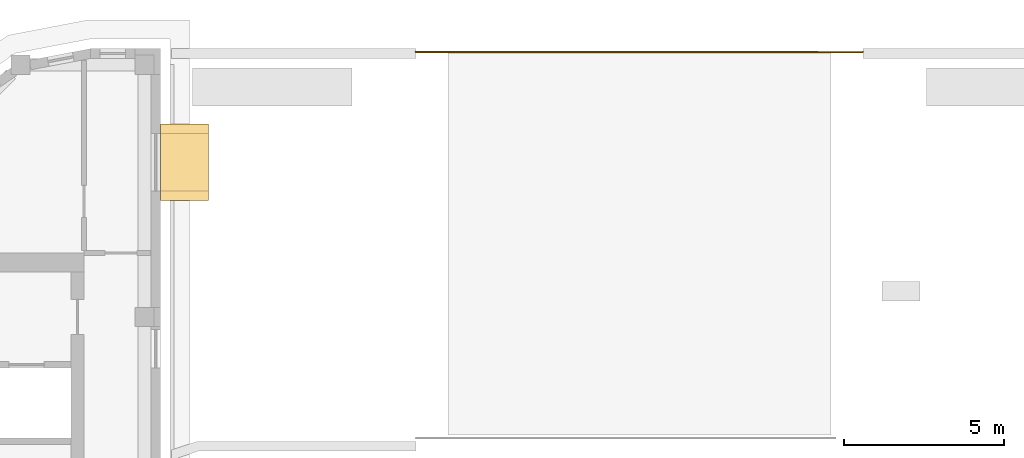
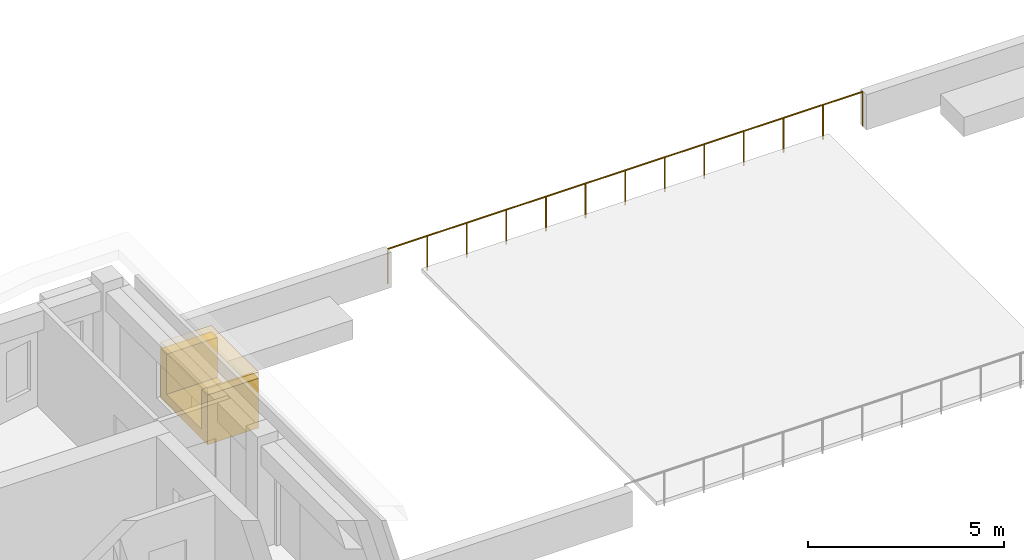
# One storey, part 12 of 14: 2 coverings, 1 railing.
"""IFC4 building model written with IfcOpenShell, lengths in metres."""

from ifc_helpers import new_model, si_unit, direction, frame, origin, origin_2d, place, context, subcontext, project, spatial, polyline, rectangle, circle, outline, extrude, material, layer, layer_set, type_object, element, save


model = new_model("IFC4")

# Units and contexts
model_context = context("Model", 3, precision=1e-05, world=origin(), true_north=direction((0.0, 1.0)))
body_context = subcontext(model_context, "Body", "Model", "MODEL_VIEW")
ifc_project = project(units=[si_unit("LENGTHUNIT", "METRE"), si_unit("AREAUNIT", "SQUARE_METRE"), si_unit("VOLUMEUNIT", "CUBIC_METRE"), si_unit("PLANEANGLEUNIT", "RADIAN"), si_unit("MASSUNIT", "GRAM", prefix="KILO")], contexts=[model_context])

# Site, building, storey
site_placement = place(None, origin())
site = spatial("IfcSite", under=ifc_project, at=site_placement, CompositionType="ELEMENT")
building_placement = place(site_placement, origin())
building = spatial("IfcBuilding", under=site, at=building_placement, Name="Kiln Ring Residences", CompositionType="ELEMENT")
storey_placement = place(building_placement, frame((0.0, 0.0, 299.89990234375)))
storey = spatial("IfcBuildingStorey", under=building, at=storey_placement, Name="L77 Crown", CompositionType="ELEMENT", Elevation=299.89990234375)

# Coverings
ifc_material_1 = material(Name="Brick masonry, dark clay brick", Category="masonry")
ifc_layer_1 = layer(ifc_material_1, 0.300048828125)
ifc_layer_set_1 = layer_set([ifc_layer_1], Name="FRAME CHEEKS AND SILL 1500")
covering_type_1 = type_object("IfcCoveringType", Name="FRAME CHEEKS AND SILL 1500", PredefinedType="CLADDING", material=ifc_layer_set_1)
covering_1_placement = place(storey_placement, frame((-14.25, 14.83740234375, 0.60009765625), z_axis=(0.0, 0.0, 1.0), x_axis=(0.0, 1.0, 0.0)))
element("IfcCovering", 1, at=covering_1_placement, inside=storey, type_object=covering_type_1, Name="FRAME L77 Crown", PredefinedType="CLADDING", context=body_context, shape_type="SweptSolid", body=[
    extrude(outline(polyline([(0.0, 0.0), (2.400146484375, 0.0), (2.39990234375, 1.550048828125), (2.10107421875, 1.550048828125), (2.10009765625, 0.300048828125), (0.300048828125, 0.300048828125), (0.299072265625, 1.550048828125), (0.0, 1.550048828125), (0.0, 0.0)])), frame((0.0, 0.75, 0.0), z_axis=(0.0, -1.0, 0.0), x_axis=(1.0, 0.0, 0.0)), (0.0, 0.0, 1.0), 1.5),
])
ifc_material_2 = material(Name="Brick masonry, dark clay brick", Category="masonry")
ifc_layer_2 = layer(ifc_material_2, 0.199951171875)
ifc_layer_set_2 = layer_set([ifc_layer_2], Name="FRAME HEAD 1500")
covering_type_2 = type_object("IfcCoveringType", Name="FRAME HEAD 1500", PredefinedType="CLADDING", material=ifc_layer_set_2)
covering_2_placement = place(storey_placement, frame((-14.25, 16.03759765625, 2.14990234375), z_axis=(0.0, 0.0, 1.0), x_axis=(0.0, 1.0, 0.0)))
element("IfcCovering", 2, at=covering_2_placement, inside=storey, type_object=covering_type_2, Name="FRAME HEAD L77 Crown", PredefinedType="CLADDING", context=body_context, shape_type="SweptSolid", body=[
    extrude(rectangle(XDim=2.39990234375, YDim=1.5, at=origin_2d()), origin(), (0.0, 0.0, 1.0), 0.199951171875),
])

# Railing
ifc_material_3 = material(Name="Stainless steel mesh net", Category="steel")
railing_type = type_object("IfcRailingType", Name="HELIPAD SAFETY NET 1100", PredefinedType="GUARDRAIL", material=ifc_material_3)
railing_placement = place(storey_placement, frame((-7.0, 19.5, 0.0)))
element("IfcRailing", 3, at=railing_placement, inside=storey, type_object=railing_type, Name="Helipad perimeter safety net north", PredefinedType="GUARDRAIL", context=body_context, shape_type="SweptSolid", body=[
    extrude(circle(Radius=0.02392578125, at=origin_2d()), frame((0.0, 0.0, 1.076171875), z_axis=(1.0, 0.0, 0.0), x_axis=(0.0, 1.0, 0.0)), (0.0, 0.0, 1.0), 14.0),
    extrude(circle(Radius=0.02099609375, at=origin_2d()), origin(), (0.0, 0.0, 1.0), 1.052001953125),
    extrude(circle(Radius=0.02099609375, at=origin_2d()), frame((1.166748046875, 0.0, 0.0)), (0.0, 0.0, 1.0), 1.052001953125),
    extrude(circle(Radius=0.02099609375, at=origin_2d()), frame((2.333251953125, 0.0, 0.0)), (0.0, 0.0, 1.0), 1.052001953125),
    extrude(circle(Radius=0.02099609375, at=origin_2d()), frame((3.5, 0.0, 0.0)), (0.0, 0.0, 1.0), 1.052001953125),
    extrude(circle(Radius=0.02099609375, at=origin_2d()), frame((4.666748046875, 0.0, 0.0)), (0.0, 0.0, 1.0), 1.052001953125),
    extrude(circle(Radius=0.02099609375, at=origin_2d()), frame((5.833251953125, 0.0, 0.0)), (0.0, 0.0, 1.0), 1.052001953125),
    extrude(circle(Radius=0.02099609375, at=origin_2d()), frame((7.0, 0.0, 0.0)), (0.0, 0.0, 1.0), 1.052001953125),
    extrude(circle(Radius=0.02099609375, at=origin_2d()), frame((8.166748046875, 0.0, 0.0)), (0.0, 0.0, 1.0), 1.052001953125),
    extrude(circle(Radius=0.02099609375, at=origin_2d()), frame((9.333251953125, 0.0, 0.0)), (0.0, 0.0, 1.0), 1.052001953125),
    extrude(circle(Radius=0.02099609375, at=origin_2d()), frame((10.5, 0.0, 0.0)), (0.0, 0.0, 1.0), 1.052001953125),
    extrude(circle(Radius=0.02099609375, at=origin_2d()), frame((11.666748046875, 0.0, 0.0)), (0.0, 0.0, 1.0), 1.052001953125),
    extrude(circle(Radius=0.02099609375, at=origin_2d()), frame((12.833251953125, 0.0, 0.0)), (0.0, 0.0, 1.0), 1.052001953125),
    extrude(circle(Radius=0.02099609375, at=origin_2d()), frame((14.0, 0.0, 0.0)), (0.0, 0.0, 1.0), 1.052001953125),
])

save(model, "model.ifc")
